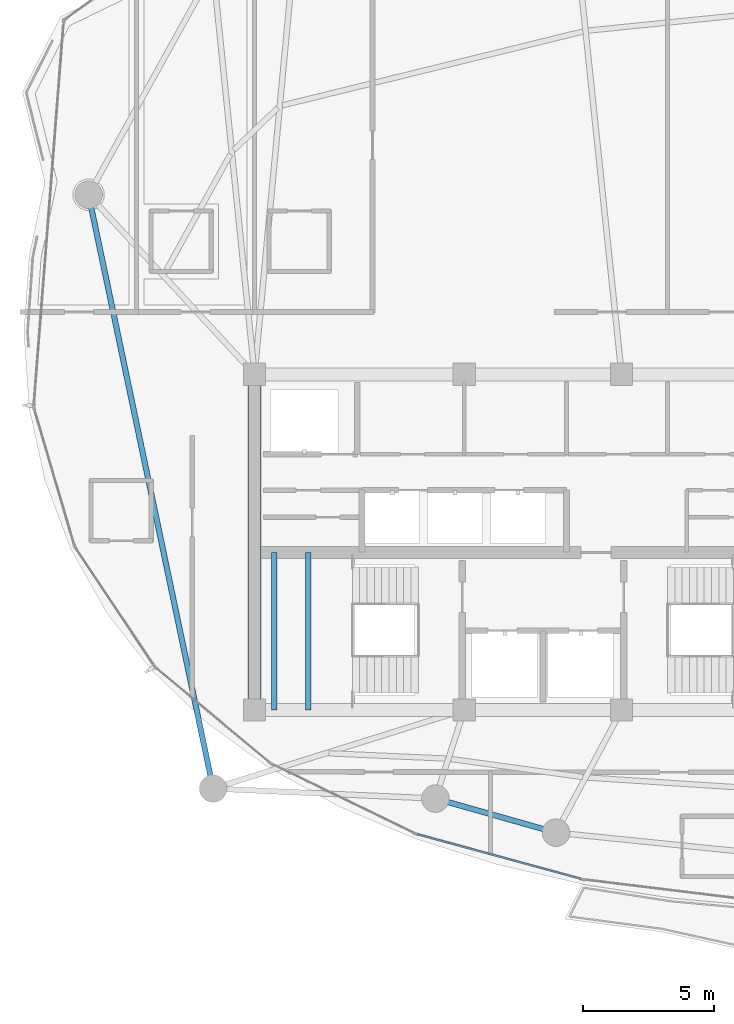
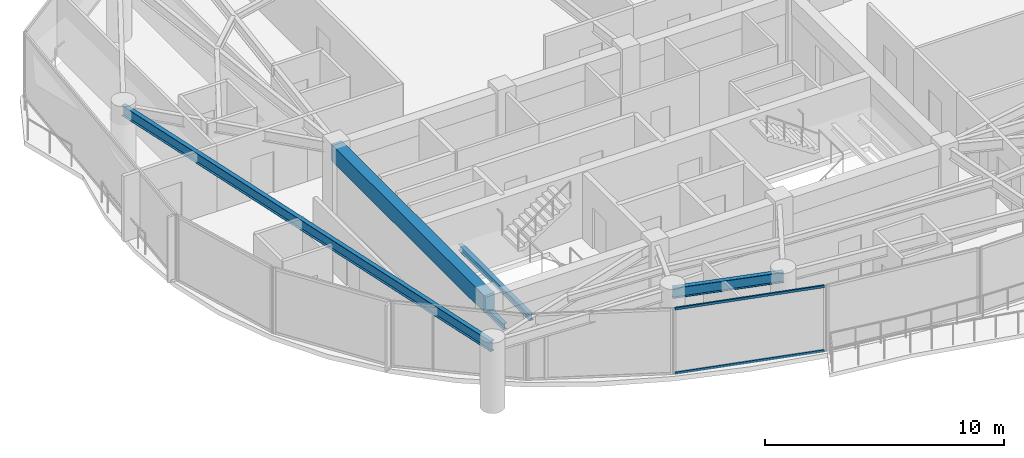
# One storey, part 4 of 31: 5 beams, 2 members, 1 element without a shape of its own.
"""IFC4 building model written with IfcOpenShell, lengths in metres."""

from ifc_helpers import new_model, si_unit, direction, frame, origin, origin_2d, place, context, subcontext, project, spatial, rectangle, hollow_rectangle, i_section, extrude, material, layer, layer_set, material_profile, profile_set, type_object, element, aggregate, save


model = new_model("IFC4")

# Units and contexts
model_context = context("Model", 3, precision=1e-05, world=origin(), true_north=direction((0.0, 1.0)))
body_context = subcontext(model_context, "Body", "Model", "MODEL_VIEW")
ifc_project = project(units=[si_unit("LENGTHUNIT", "METRE"), si_unit("AREAUNIT", "SQUARE_METRE"), si_unit("VOLUMEUNIT", "CUBIC_METRE"), si_unit("PLANEANGLEUNIT", "RADIAN"), si_unit("MASSUNIT", "GRAM", prefix="KILO")], contexts=[model_context])

# Site, building, storey
site_placement = place(None, origin())
site = spatial("IfcSite", under=ifc_project, at=site_placement, CompositionType="ELEMENT")
building_placement = place(site_placement, origin())
building = spatial("IfcBuilding", under=site, at=building_placement, Name="Kazevale Care Tower and Concert Hall", CompositionType="ELEMENT")
storey_placement = place(building_placement, frame((0.0, 0.0, 220.800048828125)))
storey = spatial("IfcBuildingStorey", under=building, at=storey_placement, Name="L58", CompositionType="ELEMENT", Elevation=220.800048828125)

# Curtain wall, members
ifc_material_1 = material(Name="Aluminium 6063-T6 and Low-E Glass", Category="aluminium")
ifc_layer = layer(ifc_material_1, 0.179931640625)
ifc_layer_set = layer_set([ifc_layer], Name="Aluminium 6063-T6 and Low-E Glass")
curtain_wall_type = type_object("IfcCurtainWallType", Name="Sheltered Concave Balcony Curtain Wall CW-5", PredefinedType="NOTDEFINED", material=ifc_layer_set)
curtain_wall_placement = place(storey_placement, origin())
curtain_wall = element("IfcCurtainWall", 1, at=curtain_wall_placement, inside=storey, type_object=curtain_wall_type, Name="cw:L58:f08", PredefinedType="NOTDEFINED")
ifc_material_2 = material(Name="Aluminium 6063-T6", Category="aluminium")
ifc_material_profile_1 = material_profile(ifc_material_2, hollow_rectangle(XDim=0.074951171875, YDim=0.1201171875, WallThickness=0.00390625, at=origin_2d()), Name="ALU75x120x4")
ifc_profile_set_1 = profile_set([ifc_material_profile_1], Name="Aluminium 6063-T6")
member_type = type_object("IfcMemberType", Name="CW-5 Transom ALU75x120x4", PredefinedType="USERDEFINED", material=ifc_profile_set_1)
member_1_placement = place(storey_placement, frame((34.458740234375, 17.15283203125, 0.037353515625), z_axis=(-0.964843890632, 0.262823641842, 0.0), x_axis=(-0.262823641842, -0.964843890632, 0.0)))
member_1 = element("IfcMember", 2, at=member_1_placement, type_object=member_type, Name="CW-5 transom 1.1", ObjectType="TRANSOM", PredefinedType="USERDEFINED", context=body_context, shape_type="SweptSolid", body=[
    extrude(hollow_rectangle(XDim=0.074951171875, YDim=0.1201171875, WallThickness=0.00390625, at=origin_2d()), origin(), (0.0, 0.0, 1.0), 6.469970703125),
])
member_2_placement = place(storey_placement, frame((34.458740234375, 17.15283203125, 3.322509765625), z_axis=(-0.964843890632, 0.262823641842, 0.0), x_axis=(-0.262823641842, -0.964843890632, 0.0)))
member_2 = element("IfcMember", 3, at=member_2_placement, type_object=member_type, Name="CW-5 transom 1.2", ObjectType="TRANSOM", PredefinedType="USERDEFINED", context=body_context, shape_type="SweptSolid", body=[
    extrude(hollow_rectangle(XDim=0.074951171875, YDim=0.1201171875, WallThickness=0.00390625, at=origin_2d()), origin(), (0.0, 0.0, 1.0), 6.469970703125),
])
aggregate(curtain_wall, [member_1, member_2])

# Beams
ifc_material_3 = material(Name="Concrete C60", Category="concrete")
ifc_material_profile_2 = material_profile(ifc_material_3, rectangle(XDim=0.5, YDim=0.85009765625, at=origin_2d()), Name="RC-B500x850")
ifc_profile_set_2 = profile_set([ifc_material_profile_2], Name="Concrete C60")
beam_type_1 = type_object("IfcBeamType", Name="Core Coupling Beam RC500x850", PredefinedType="LINTEL", material=ifc_profile_set_2)
beam_1_placement = place(storey_placement, frame((22.0, 36.39990234375, 2.93505859375), z_axis=(0.0, -1.0, 0.0), x_axis=(1.0, 0.0, 0.0)))
element("IfcBeam", 4, at=beam_1_placement, inside=storey, type_object=beam_type_1, Name="beam:L58:coretie:8", PredefinedType="LINTEL", context=body_context, shape_type="SweptSolid", body=[
    extrude(rectangle(XDim=0.5, YDim=0.85009765625, at=origin_2d()), origin(), (0.0, 0.0, 1.0), 12.7998046875),
])
ifc_material_4 = material(Name="Steel ASTM A572 Gr 50", Category="steel")
ifc_material_profile_3 = material_profile(ifc_material_4, i_section(OverallWidth=0.202880859375, OverallDepth=0.302978515625, WebThickness=0.007568359375, FlangeThickness=0.01318359375, at=origin_2d()), Name="W310x60")
ifc_profile_set_3 = profile_set([ifc_material_profile_3], Name="Steel ASTM A572 Gr 50")
beam_type_2 = type_object("IfcBeamType", Name="Stair & Balcony Trimmer W310x60", PredefinedType="BEAM", material=ifc_profile_set_3)
for number, where, z_axis, x_axis, name in (
    (5, (22.75, 23.60009765625, 1.448486328125), (0.0, 1.0, 0.0), (-1.0, 0.0, 0.0), "beam:L58:sttrim:ST1"),
    (6, (24.050048828125, 23.60009765625, 1.448486328125), (0.0, 1.0, 0.0), (-1.0, 0.0, 0.0), "beam:L58:sttrim:ST1b"),
):
    element("IfcBeam", number, at=place(storey_placement, frame(where, z_axis=z_axis, x_axis=x_axis)), inside=storey, type_object=beam_type_2, Name=name, PredefinedType="BEAM", context=body_context, shape_type="SweptSolid", body=[
        extrude(i_section(OverallWidth=0.202880859375, OverallDepth=0.302978515625, WebThickness=0.007568359375, FlangeThickness=0.01318359375, at=origin_2d()), origin(), (0.0, 0.0, 1.0), 6.0),
    ])
ifc_material_profile_4 = material_profile(ifc_material_4, i_section(OverallWidth=0.208984375, OverallDepth=0.532958984375, WebThickness=0.01025390625, FlangeThickness=0.015625, at=origin_2d()), Name="W530x92")
ifc_profile_set_4 = profile_set([ifc_material_profile_4], Name="Steel ASTM A572 Gr 50")
beam_type_3 = type_object("IfcBeamType", Name="Upper Ring Beam W530x92", PredefinedType="BEAM", material=ifc_profile_set_4)
beam_2_placement = place(storey_placement, frame((15.669921875, 43.25, 3.093505859375), z_axis=(0.205249071222, -0.978709772488, 0.0), x_axis=(0.978709772488, 0.205249071222, 0.0)))
element("IfcBeam", 7, at=beam_2_placement, inside=storey, type_object=beam_type_3, Name="beam:L58:ring:09", PredefinedType="BEAM", context=body_context, shape_type="SweptSolid", body=[
    extrude(i_section(OverallWidth=0.208984375, OverallDepth=0.532958984375, WebThickness=0.01025390625, FlangeThickness=0.015625, at=origin_2d()), origin(), (0.0, 0.0, 1.0), 23.142578125),
])
beam_3_placement = place(storey_placement, frame((28.89990234375, 20.219970703125, 3.093505859375), z_axis=(0.962308240836, -0.271961117846, 0.0), x_axis=(0.271961117846, 0.962308240836, 0.0)))
element("IfcBeam", 8, at=beam_3_placement, inside=storey, type_object=beam_type_3, Name="beam:L58:ring:11", PredefinedType="BEAM", context=body_context, shape_type="SweptSolid", body=[
    extrude(i_section(OverallWidth=0.208984375, OverallDepth=0.532958984375, WebThickness=0.01025390625, FlangeThickness=0.015625, at=origin_2d()), origin(), (0.0, 0.0, 1.0), 4.7802734375),
])

save(model, "model.ifc")
